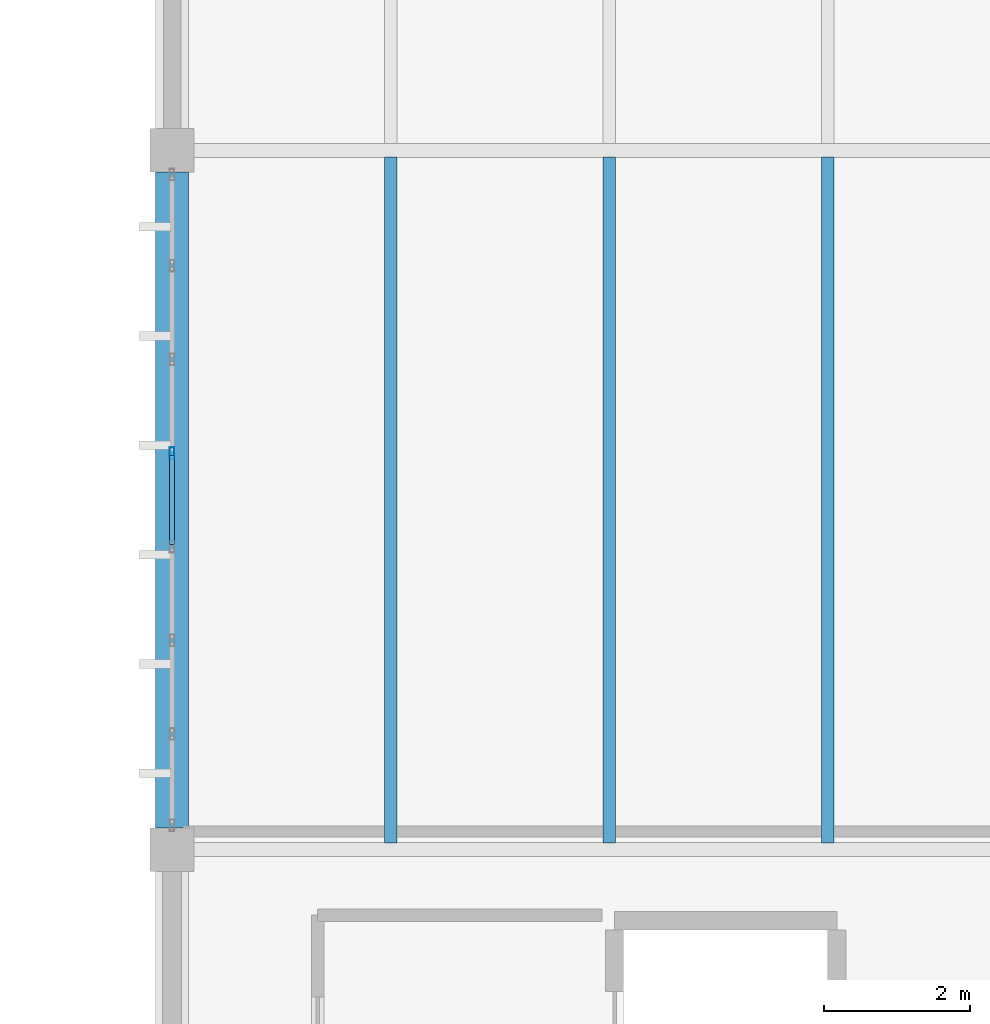
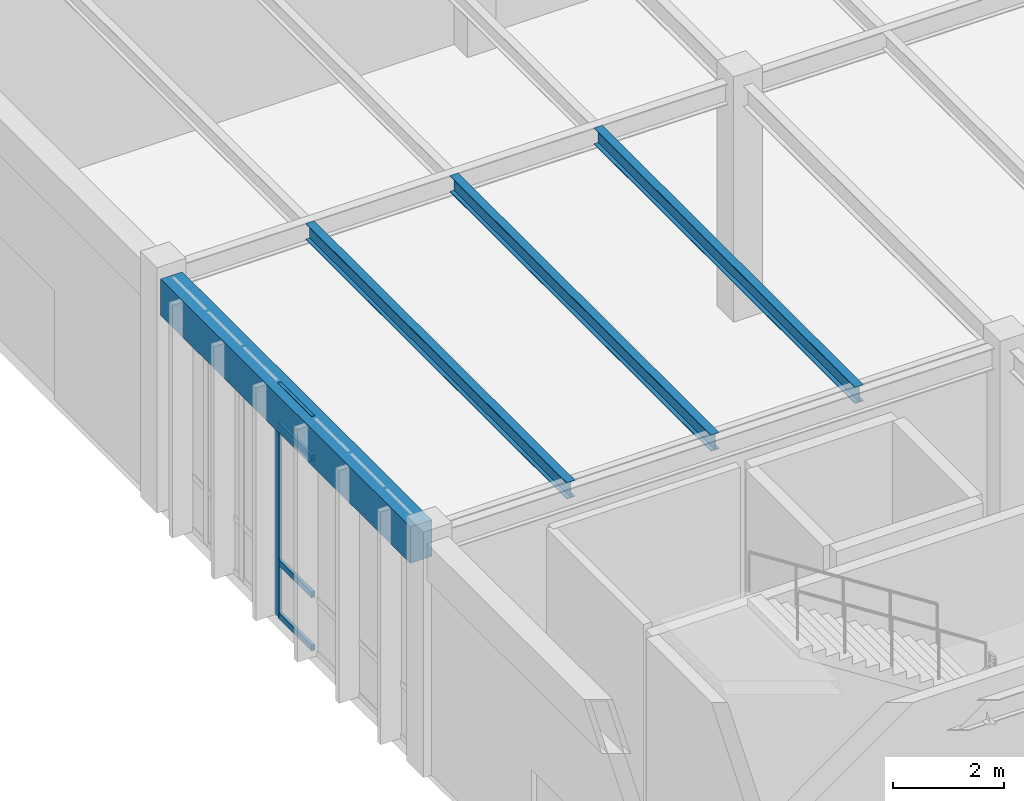
# One storey, part 106 of 188: 5 members, 4 beams, 1 element without a shape of its own.
"""IFC4 building model written with IfcOpenShell, lengths in metres."""

from ifc_helpers import new_model, si_unit, direction, frame, origin, origin_2d, place, context, subcontext, project, spatial, rectangle, hollow_rectangle, i_section, extrude, material, layer, layer_set, material_profile, profile_set, type_object, element, aggregate, save


model = new_model("IFC4")

# Units and contexts
model_context = context("Model", 3, precision=1e-05, world=origin(), true_north=direction((0.0, 1.0)))
body_context = subcontext(model_context, "Body", "Model", "MODEL_VIEW")
ifc_project = project(units=[si_unit("LENGTHUNIT", "METRE"), si_unit("AREAUNIT", "SQUARE_METRE"), si_unit("VOLUMEUNIT", "CUBIC_METRE"), si_unit("PLANEANGLEUNIT", "RADIAN"), si_unit("MASSUNIT", "GRAM", prefix="KILO")], contexts=[model_context])

# Site, building, storey
site_placement = place(None, origin())
site = spatial("IfcSite", under=ifc_project, at=site_placement, CompositionType="ELEMENT")
building_placement = place(site_placement, origin())
building = spatial("IfcBuilding", under=site, at=building_placement, Name="Pandanus Reach Market Hall", CompositionType="ELEMENT")
storey_placement = place(building_placement, origin())
storey = spatial("IfcBuildingStorey", under=building, at=storey_placement, Name="L00", CompositionType="ELEMENT", Elevation=0.0)

# Beam
ifc_material_1 = material(Name="Concrete N40 (40 MPa)", Category="concrete")
ifc_material_profile_1 = material_profile(ifc_material_1, rectangle(XDim=0.449951171875, YDim=0.800048828125, at=origin_2d()), Name="RC450x800", Category="LoadBearing")
ifc_profile_set_1 = profile_set([ifc_material_profile_1], Name="Concrete N40 (40 MPa)")
beam_type_1 = type_object("IfcBeamType", Name="BM-RC450-E", PredefinedType="SPANDREL", material=ifc_profile_set_1)
beam_placement = place(storey_placement, frame((144.0, 57.89794921875, 4.72509765625), z_axis=(0.0, 1.0, 0.0), x_axis=(-1.0, 0.0, 0.0)))
element("IfcBeam", 1, at=beam_placement, inside=storey, type_object=beam_type_1, Name="Framing beam BM-RC450-E L00.194", PredefinedType="SPANDREL", context=body_context, shape_type="SweptSolid", body=[
    extrude(rectangle(XDim=0.449951171875, YDim=0.800048828125, at=origin_2d()), origin(), (0.0, 0.0, 1.0), 9.004150390625),
])

# Curtain wall, members
ifc_material_2 = material(Name="Bronze anodised aluminium and low-E glass", Category="aluminium")
ifc_layer = layer(ifc_material_2, 0.159912109375, Name="CW-26")
ifc_layer_set = layer_set([ifc_layer], Name="Bronze anodised aluminium and low-E glass")
curtain_wall_type = type_object("IfcCurtainWallType", Name="CW-26", PredefinedType="NOTDEFINED", material=ifc_layer_set)
curtain_wall_placement = place(storey_placement, origin())
curtain_wall = element("IfcCurtainWall", 2, at=curtain_wall_placement, inside=storey, type_object=curtain_wall_type, Name="Glazed curtain wall CW-26 CW-0079", PredefinedType="NOTDEFINED")
ifc_material_3 = material(Name="Bronze anodised aluminium", Category="aluminium")
ifc_material_profile_2 = material_profile(ifc_material_3, hollow_rectangle(XDim=0.06494140625, YDim=0.159912109375, WallThickness=0.00390625, at=origin_2d()), Name="ALU65x160", Category="LoadBearing")
ifc_profile_set_2 = profile_set([ifc_material_profile_2], Name="Bronze anodised aluminium")
member_type_1 = type_object("IfcMemberType", Name="CW-M1", PredefinedType="MULLION", material=ifc_profile_set_2)
member_1_placement = place(storey_placement, frame((144.0, 63.04296875, 0.0), z_axis=(0.0, 0.0, 1.0), x_axis=(-1.0, 0.0, 0.0)))
member_1 = element("IfcMember", 3, at=member_1_placement, type_object=member_type_1, Name="CW-26 mullion 5", PredefinedType="MULLION", context=body_context, shape_type="SweptSolid", body=[
    extrude(hollow_rectangle(XDim=0.06494140625, YDim=0.159912109375, WallThickness=0.00390625, at=origin_2d()), origin(), (0.0, 0.0, 1.0), 5.10009765625),
])
ifc_material_profile_3 = material_profile(ifc_material_3, hollow_rectangle(XDim=0.06494140625, YDim=0.1298828125, WallThickness=0.00390625, at=origin_2d()), Name="ALU65x130", Category="LoadBearing")
ifc_profile_set_3 = profile_set([ifc_material_profile_3], Name="Bronze anodised aluminium")
member_type_2 = type_object("IfcMemberType", Name="CW-T1", PredefinedType="USERDEFINED", material=ifc_profile_set_3)
member_2_placement = place(storey_placement, frame((144.0, 61.78955078125, 0.032470703125), z_axis=(0.0, 1.0, 0.0), x_axis=(-1.0, 0.0, 0.0)))
member_2 = element("IfcMember", 4, at=member_2_placement, type_object=member_type_2, Name="CW-26 transom 4.1", ObjectType="TRANSOM", PredefinedType="USERDEFINED", context=body_context, shape_type="SweptSolid", body=[
    extrude(hollow_rectangle(XDim=0.06494140625, YDim=0.1298828125, WallThickness=0.00390625, at=origin_2d()), origin(), (0.0, 0.0, 1.0), 1.220703125),
])
member_3_placement = place(storey_placement, frame((144.0, 61.78955078125, 1.199951171875), z_axis=(0.0, 1.0, 0.0), x_axis=(-1.0, 0.0, 0.0)))
member_3 = element("IfcMember", 5, at=member_3_placement, type_object=member_type_2, Name="CW-26 transom 4.2", ObjectType="TRANSOM", PredefinedType="USERDEFINED", context=body_context, shape_type="SweptSolid", body=[
    extrude(hollow_rectangle(XDim=0.06494140625, YDim=0.1298828125, WallThickness=0.00390625, at=origin_2d()), origin(), (0.0, 0.0, 1.0), 1.220703125),
])
member_4_placement = place(storey_placement, frame((144.0, 61.78955078125, 4.199951171875), z_axis=(0.0, 1.0, 0.0), x_axis=(-1.0, 0.0, 0.0)))
member_4 = element("IfcMember", 6, at=member_4_placement, type_object=member_type_2, Name="CW-26 transom 4.3", ObjectType="TRANSOM", PredefinedType="USERDEFINED", context=body_context, shape_type="SweptSolid", body=[
    extrude(hollow_rectangle(XDim=0.06494140625, YDim=0.1298828125, WallThickness=0.00390625, at=origin_2d()), origin(), (0.0, 0.0, 1.0), 1.220703125),
])
member_5_placement = place(storey_placement, frame((144.0, 61.78955078125, 5.0673828125), z_axis=(0.0, 1.0, 0.0), x_axis=(-1.0, 0.0, 0.0)))
member_5 = element("IfcMember", 7, at=member_5_placement, type_object=member_type_2, Name="CW-26 transom 4.4", ObjectType="TRANSOM", PredefinedType="USERDEFINED", context=body_context, shape_type="SweptSolid", body=[
    extrude(hollow_rectangle(XDim=0.06494140625, YDim=0.1298828125, WallThickness=0.00390625, at=origin_2d()), origin(), (0.0, 0.0, 1.0), 1.220703125),
])
aggregate(curtain_wall, [member_1, member_2, member_3, member_4, member_5])

# Beams
ifc_material_4 = material(Name="Steel Grade 350 (350 MPa)", Category="steel")
ifc_material_profile_4 = material_profile(ifc_material_4, i_section(OverallWidth=0.172119140625, OverallDepth=0.35888671875, WebThickness=0.008056640625, FlangeThickness=0.012939453125, at=origin_2d()), Name="360UB56.7", Category="LoadBearing")
ifc_profile_set_4 = profile_set([ifc_material_profile_4], Name="Steel Grade 350 (350 MPa)")
beam_type_2 = type_object("IfcBeamType", Name="JS-UB360H-I", PredefinedType="JOIST", material=ifc_profile_set_4)
for number, where, z_axis, x_axis, name in (
    (8, (147.0, 57.693603515625, 4.945068359375), (0.0, 1.0, 0.0), (-1.0, 0.0, 0.0), "Secondary joist JS-UB360H-I L00.243"),
    (9, (150.0, 57.693603515625, 4.945068359375), (0.0, 1.0, 0.0), (-1.0, 0.0, 0.0), "Secondary joist JS-UB360H-I L00.244"),
    (10, (153.0, 57.693603515625, 4.945068359375), (0.0, 1.0, 0.0), (-1.0, 0.0, 0.0), "Secondary joist JS-UB360H-I L00.245"),
):
    element("IfcBeam", number, at=place(storey_placement, frame(where, z_axis=z_axis, x_axis=x_axis)), inside=storey, type_object=beam_type_2, Name=name, PredefinedType="JOIST", context=body_context, shape_type="SweptSolid", body=[
        extrude(i_section(OverallWidth=0.172119140625, OverallDepth=0.35888671875, WebThickness=0.008056640625, FlangeThickness=0.012939453125, at=origin_2d()), origin(), (0.0, 0.0, 1.0), 9.412841796875),
    ])

save(model, "model.ifc")
